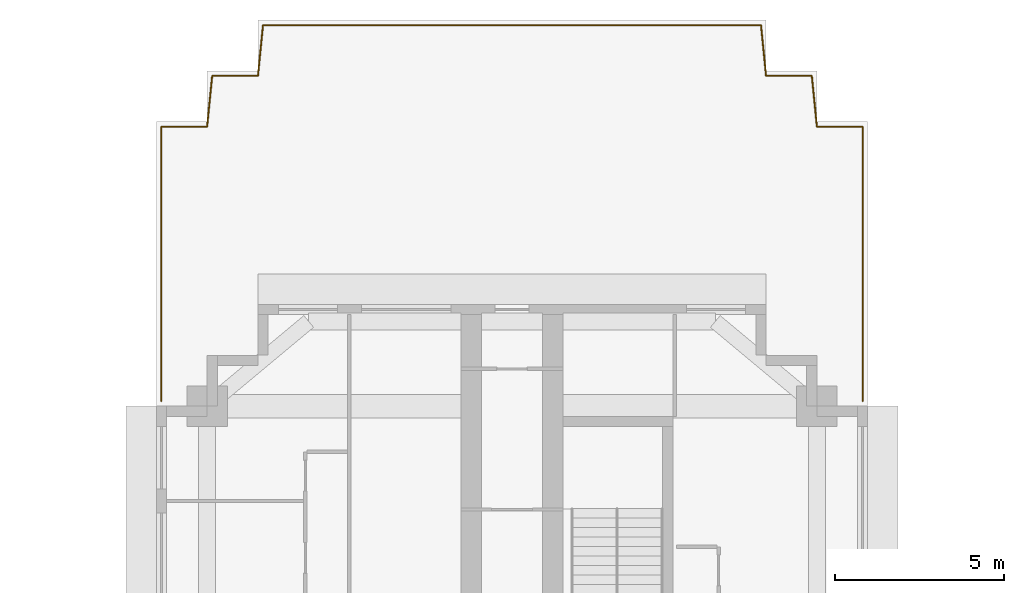
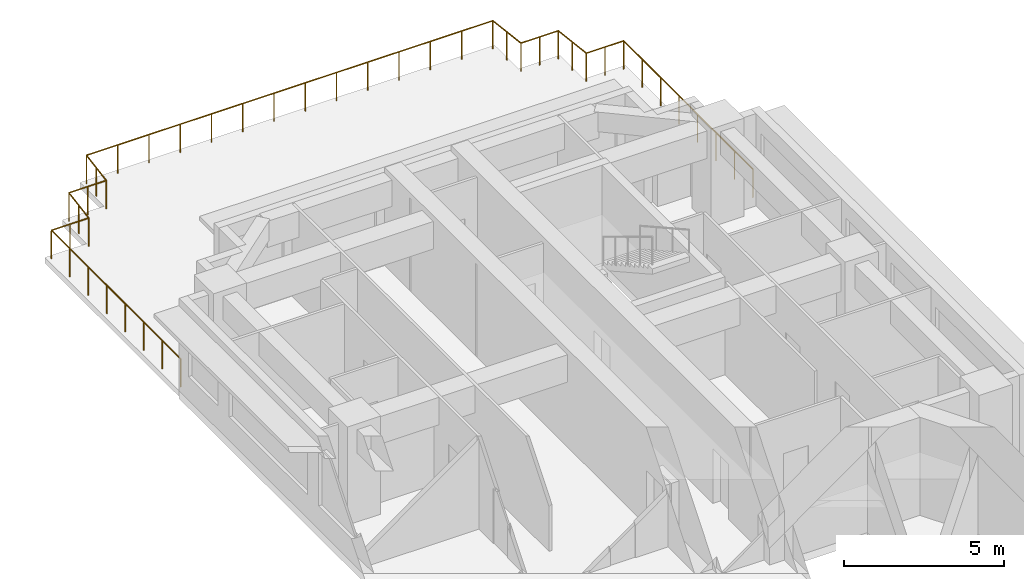
# One storey, part 12 of 12: 1 railing.
"""IFC4 building model written with IfcOpenShell, lengths in metres."""

from ifc_helpers import new_model, si_unit, direction, frame, origin, origin_2d, place, context, subcontext, project, spatial, circle, extrude, material, type_object, element, save


model = new_model("IFC4")

# Units and contexts
model_context = context("Model", 3, precision=1e-05, world=origin(), true_north=direction((0.0, 1.0)))
body_context = subcontext(model_context, "Body", "Model", "MODEL_VIEW")
ifc_project = project(units=[si_unit("LENGTHUNIT", "METRE"), si_unit("AREAUNIT", "SQUARE_METRE"), si_unit("VOLUMEUNIT", "CUBIC_METRE"), si_unit("PLANEANGLEUNIT", "RADIAN"), si_unit("MASSUNIT", "GRAM", prefix="KILO")], contexts=[model_context])

# Site, building, storey
site_placement = place(None, origin())
site = spatial("IfcSite", under=ifc_project, at=site_placement, CompositionType="ELEMENT")
building_placement = place(site_placement, origin())
building = spatial("IfcBuilding", under=site, at=building_placement, Name="Impinga Residences", CompositionType="ELEMENT")
storey_placement = place(building_placement, frame((0.0, 0.0, 188.5)))
storey = spatial("IfcBuildingStorey", under=building, at=storey_placement, Name="L46", CompositionType="ELEMENT", Elevation=188.5)

# Railing
ifc_material = material(Name="Laminated glass guard, stainless steel top rail", Category="steel")
railing_type = type_object("IfcRailingType", Name="GT1 terrace guard 1100, glass infill", PredefinedType="GUARDRAIL", material=ifc_material)
railing_placement = place(storey_placement, frame((-10.35009765625, 28.382568359375, 0.0)))
element("IfcRailing", 1, at=railing_placement, inside=storey, type_object=railing_type, Name="Terrace guard GT1 L46", PredefinedType="GUARDRAIL", context=body_context, shape_type="SweptSolid", body=[
    extrude(circle(Radius=0.02392578125, at=origin_2d()), frame((0.0, 0.0, 1.076171875), z_axis=(0.0, 1.0, 0.0), x_axis=(-1.0, 0.0, 0.0)), (0.0, 0.0, 1.0), 8.098876953125),
    extrude(circle(Radius=0.02392578125, at=origin_2d()), frame((0.0, 8.098876953125, 1.076171875), z_axis=(1.0, 0.0, 0.0), x_axis=(0.0, 1.0, 0.0)), (0.0, 0.0, 1.0), 1.35009765625),
    extrude(circle(Radius=0.02392578125, at=origin_2d()), frame((1.35009765625, 8.098876953125, 1.076171875), z_axis=(0.099439578731, 0.995043602151, 0.0), x_axis=(-0.995043602151, 0.099439578731, 0.0)), (0.0, 0.0, 1.0), 1.507568359375),
    extrude(circle(Radius=0.02392578125, at=origin_2d()), frame((1.5, 9.598876953125, 1.076171875), z_axis=(1.0, 0.0, 0.0), x_axis=(0.0, 1.0, 0.0)), (0.0, 0.0, 1.0), 1.35009765625),
    extrude(circle(Radius=0.02392578125, at=origin_2d()), frame((2.85009765625, 9.598876953125, 1.076171875), z_axis=(0.099439578731, 0.995043602151, 0.0), x_axis=(-0.995043602151, 0.099439578731, 0.0)), (0.0, 0.0, 1.0), 1.507568359375),
    extrude(circle(Radius=0.02392578125, at=origin_2d()), frame((3.0, 11.098876953125, 1.076171875), z_axis=(1.0, 0.0, 0.0), x_axis=(0.0, 1.0, 0.0)), (0.0, 0.0, 1.0), 14.7001953125),
    extrude(circle(Radius=0.02392578125, at=origin_2d()), frame((17.7001953125, 11.098876953125, 1.076171875), z_axis=(0.099439578731, -0.995043602151, 0.0), x_axis=(0.995043602151, 0.099439578731, 0.0)), (0.0, 0.0, 1.0), 1.507568359375),
    extrude(circle(Radius=0.02392578125, at=origin_2d()), frame((17.85009765625, 9.598876953125, 1.076171875), z_axis=(1.0, 0.0, 0.0), x_axis=(0.0, 1.0, 0.0)), (0.0, 0.0, 1.0), 1.35009765625),
    extrude(circle(Radius=0.02392578125, at=origin_2d()), frame((19.2001953125, 9.598876953125, 1.076171875), z_axis=(0.099439578731, -0.995043602151, 0.0), x_axis=(0.995043602151, 0.099439578731, 0.0)), (0.0, 0.0, 1.0), 1.507568359375),
    extrude(circle(Radius=0.02392578125, at=origin_2d()), frame((19.35009765625, 8.098876953125, 1.076171875), z_axis=(1.0, 0.0, 0.0), x_axis=(0.0, 1.0, 0.0)), (0.0, 0.0, 1.0), 1.35009765625),
    extrude(circle(Radius=0.02392578125, at=origin_2d()), frame((20.7001953125, 8.098876953125, 1.076171875), z_axis=(0.0, -1.0, 0.0), x_axis=(1.0, 0.0, 0.0)), (0.0, 0.0, 1.0), 8.098876953125),
    extrude(circle(Radius=0.02099609375, at=origin_2d()), origin(), (0.0, 0.0, 1.0), 1.052001953125),
    extrude(circle(Radius=0.02099609375, at=origin_2d()), frame((0.0, 1.156982421875, 0.0)), (0.0, 0.0, 1.0), 1.052001953125),
    extrude(circle(Radius=0.02099609375, at=origin_2d()), frame((0.0, 2.31396484375, 0.0)), (0.0, 0.0, 1.0), 1.052001953125),
    extrude(circle(Radius=0.02099609375, at=origin_2d()), frame((0.0, 3.470947265625, 0.0)), (0.0, 0.0, 1.0), 1.052001953125),
    extrude(circle(Radius=0.02099609375, at=origin_2d()), frame((0.0, 4.6279296875, 0.0)), (0.0, 0.0, 1.0), 1.052001953125),
    extrude(circle(Radius=0.02099609375, at=origin_2d()), frame((0.0, 5.784912109375, 0.0)), (0.0, 0.0, 1.0), 1.052001953125),
    extrude(circle(Radius=0.02099609375, at=origin_2d()), frame((0.0, 6.94189453125, 0.0)), (0.0, 0.0, 1.0), 1.052001953125),
    extrude(circle(Radius=0.02099609375, at=origin_2d()), frame((0.0, 8.098876953125, 0.0)), (0.0, 0.0, 1.0), 1.052001953125),
    extrude(circle(Radius=0.02099609375, at=origin_2d()), frame((0.675048828125, 8.098876953125, 0.0)), (0.0, 0.0, 1.0), 1.052001953125),
    extrude(circle(Radius=0.02099609375, at=origin_2d()), frame((1.35009765625, 8.098876953125, 0.0)), (0.0, 0.0, 1.0), 1.052001953125),
    extrude(circle(Radius=0.02099609375, at=origin_2d()), frame((1.425048828125, 8.848876953125, 0.0)), (0.0, 0.0, 1.0), 1.052001953125),
    extrude(circle(Radius=0.02099609375, at=origin_2d()), frame((1.5, 9.598876953125, 0.0)), (0.0, 0.0, 1.0), 1.052001953125),
    extrude(circle(Radius=0.02099609375, at=origin_2d()), frame((2.175048828125, 9.598876953125, 0.0)), (0.0, 0.0, 1.0), 1.052001953125),
    extrude(circle(Radius=0.02099609375, at=origin_2d()), frame((2.85009765625, 9.598876953125, 0.0)), (0.0, 0.0, 1.0), 1.052001953125),
    extrude(circle(Radius=0.02099609375, at=origin_2d()), frame((2.925048828125, 10.348876953125, 0.0)), (0.0, 0.0, 1.0), 1.052001953125),
    extrude(circle(Radius=0.02099609375, at=origin_2d()), frame((3.0, 11.098876953125, 0.0)), (0.0, 0.0, 1.0), 1.052001953125),
    extrude(circle(Radius=0.02099609375, at=origin_2d()), frame((4.130859375, 11.098876953125, 0.0)), (0.0, 0.0, 1.0), 1.052001953125),
    extrude(circle(Radius=0.02099609375, at=origin_2d()), frame((5.261474609375, 11.098876953125, 0.0)), (0.0, 0.0, 1.0), 1.052001953125),
    extrude(circle(Radius=0.02099609375, at=origin_2d()), frame((6.392333984375, 11.098876953125, 0.0)), (0.0, 0.0, 1.0), 1.052001953125),
    extrude(circle(Radius=0.02099609375, at=origin_2d()), frame((7.523193359375, 11.098876953125, 0.0)), (0.0, 0.0, 1.0), 1.052001953125),
    extrude(circle(Radius=0.02099609375, at=origin_2d()), frame((8.65380859375, 11.098876953125, 0.0)), (0.0, 0.0, 1.0), 1.052001953125),
    extrude(circle(Radius=0.02099609375, at=origin_2d()), frame((9.78466796875, 11.098876953125, 0.0)), (0.0, 0.0, 1.0), 1.052001953125),
    extrude(circle(Radius=0.02099609375, at=origin_2d()), frame((10.91552734375, 11.098876953125, 0.0)), (0.0, 0.0, 1.0), 1.052001953125),
    extrude(circle(Radius=0.02099609375, at=origin_2d()), frame((12.04638671875, 11.098876953125, 0.0)), (0.0, 0.0, 1.0), 1.052001953125),
    extrude(circle(Radius=0.02099609375, at=origin_2d()), frame((13.177001953125, 11.098876953125, 0.0)), (0.0, 0.0, 1.0), 1.052001953125),
    extrude(circle(Radius=0.02099609375, at=origin_2d()), frame((14.307861328125, 11.098876953125, 0.0)), (0.0, 0.0, 1.0), 1.052001953125),
    extrude(circle(Radius=0.02099609375, at=origin_2d()), frame((15.438720703125, 11.098876953125, 0.0)), (0.0, 0.0, 1.0), 1.052001953125),
    extrude(circle(Radius=0.02099609375, at=origin_2d()), frame((16.5693359375, 11.098876953125, 0.0)), (0.0, 0.0, 1.0), 1.052001953125),
    extrude(circle(Radius=0.02099609375, at=origin_2d()), frame((17.7001953125, 11.098876953125, 0.0)), (0.0, 0.0, 1.0), 1.052001953125),
    extrude(circle(Radius=0.02099609375, at=origin_2d()), frame((17.775146484375, 10.348876953125, 0.0)), (0.0, 0.0, 1.0), 1.052001953125),
    extrude(circle(Radius=0.02099609375, at=origin_2d()), frame((17.85009765625, 9.598876953125, 0.0)), (0.0, 0.0, 1.0), 1.052001953125),
    extrude(circle(Radius=0.02099609375, at=origin_2d()), frame((18.525146484375, 9.598876953125, 0.0)), (0.0, 0.0, 1.0), 1.052001953125),
    extrude(circle(Radius=0.02099609375, at=origin_2d()), frame((19.2001953125, 9.598876953125, 0.0)), (0.0, 0.0, 1.0), 1.052001953125),
    extrude(circle(Radius=0.02099609375, at=origin_2d()), frame((19.275146484375, 8.848876953125, 0.0)), (0.0, 0.0, 1.0), 1.052001953125),
    extrude(circle(Radius=0.02099609375, at=origin_2d()), frame((19.35009765625, 8.098876953125, 0.0)), (0.0, 0.0, 1.0), 1.052001953125),
    extrude(circle(Radius=0.02099609375, at=origin_2d()), frame((20.025146484375, 8.098876953125, 0.0)), (0.0, 0.0, 1.0), 1.052001953125),
    extrude(circle(Radius=0.02099609375, at=origin_2d()), frame((20.7001953125, 8.098876953125, 0.0)), (0.0, 0.0, 1.0), 1.052001953125),
    extrude(circle(Radius=0.02099609375, at=origin_2d()), frame((20.7001953125, 6.94189453125, 0.0)), (0.0, 0.0, 1.0), 1.052001953125),
    extrude(circle(Radius=0.02099609375, at=origin_2d()), frame((20.7001953125, 5.784912109375, 0.0)), (0.0, 0.0, 1.0), 1.052001953125),
    extrude(circle(Radius=0.02099609375, at=origin_2d()), frame((20.7001953125, 4.6279296875, 0.0)), (0.0, 0.0, 1.0), 1.052001953125),
    extrude(circle(Radius=0.02099609375, at=origin_2d()), frame((20.7001953125, 3.470947265625, 0.0)), (0.0, 0.0, 1.0), 1.052001953125),
    extrude(circle(Radius=0.02099609375, at=origin_2d()), frame((20.7001953125, 2.31396484375, 0.0)), (0.0, 0.0, 1.0), 1.052001953125),
    extrude(circle(Radius=0.02099609375, at=origin_2d()), frame((20.7001953125, 1.156982421875, 0.0)), (0.0, 0.0, 1.0), 1.052001953125),
    extrude(circle(Radius=0.02099609375, at=origin_2d()), frame((20.7001953125, 0.0, 0.0)), (0.0, 0.0, 1.0), 1.052001953125),
])

save(model, "model.ifc")
